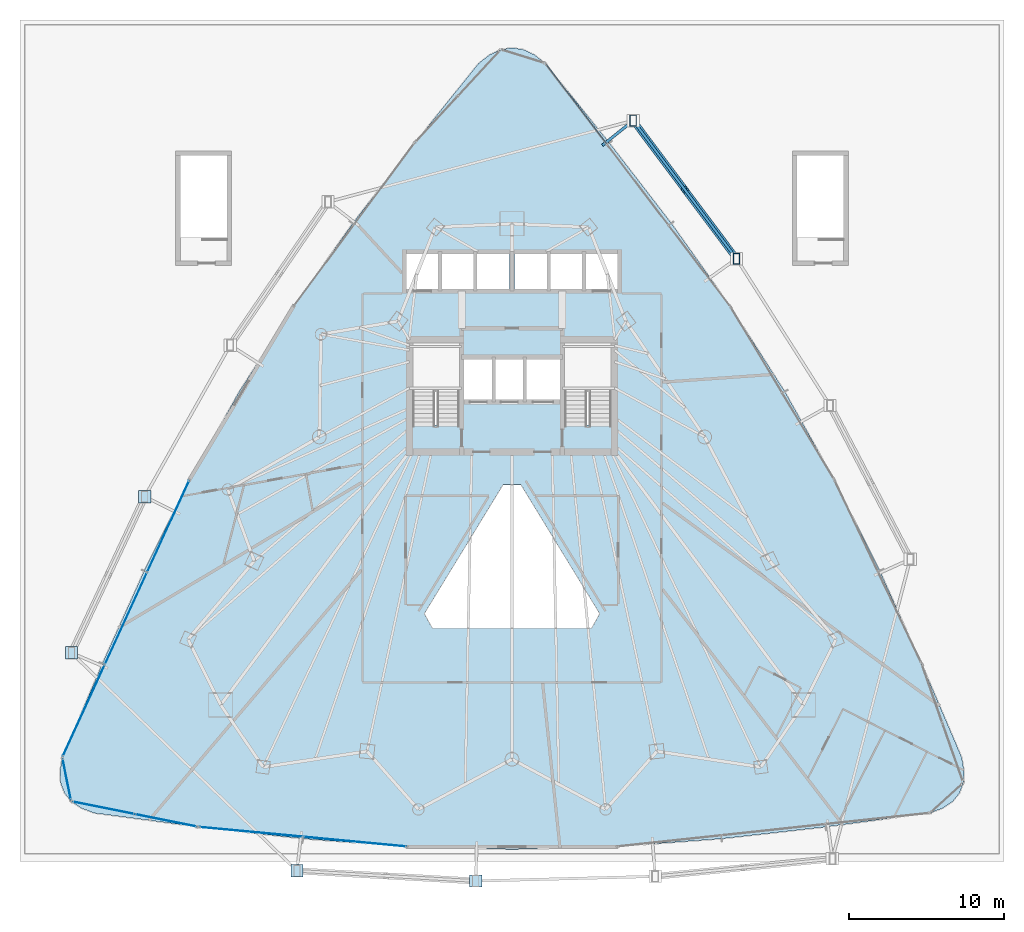
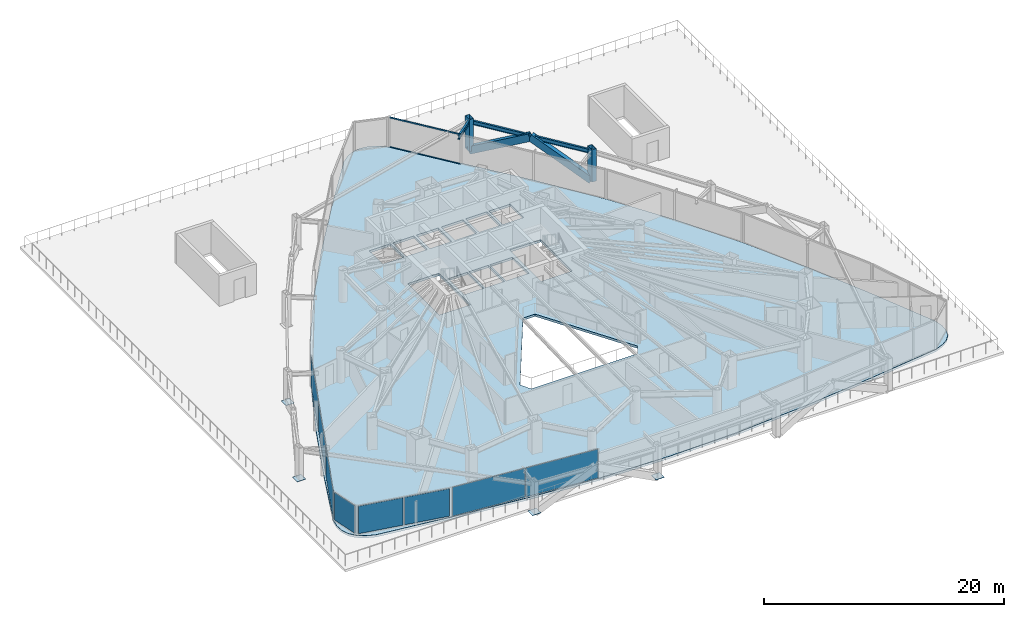
# One storey, part 27 of 36: 12 plates, 6 members, 2 beams, 1 slab, 5 elements without a shape of their own.
"""IFC4 building model written with IfcOpenShell, lengths in metres."""

import ifcopenshell
import ifcopenshell.guid

model = None  # the IFC model being written
_history = None  # IfcOwnerHistory: only IFC2X3 demands one
_inside = {}  # id of a spatial element -> (the spatial element, [elements in it])
_under = {}  # id of a project, library or spatial element -> (it, [spatial elements below it])
_declared = {}  # id of a project -> (the project, [libraries it declares])
_typed = {}  # id of a type object -> (the type object, [elements of that type])
_made_of = {}  # id of a material, layer set ... -> (it, [elements and type objects made of it])


def new_model(schema):
    """Start an empty IFC model of exactly this schema.

    Asked for "IFC4X3", IfcOpenShell would pick the latest addendum, in which some entities
    have other attributes; the version numbers below select the first issue.
    IFC2X3 requires an IfcOwnerHistory on every rooted entity: one is made here for all.
    """
    global model, _history
    if schema == "IFC4X3":
        model = ifcopenshell.file(schema_version=(4, 3, 0, 0))
    else:
        model = ifcopenshell.file(schema=schema)
    _inside.clear()
    _under.clear()
    _declared.clear()
    _typed.clear()
    _made_of.clear()
    _history = None
    if model.schema == "IFC2X3":
        org = make("IfcOrganization", Name="unknown")
        user = make(
            "IfcPersonAndOrganization",
            ThePerson=make("IfcPerson", FamilyName="unknown"),
            TheOrganization=org,
        )
        app = make(
            "IfcApplication",
            ApplicationDeveloper=org,
            Version="unknown",
            ApplicationFullName="unknown",
            ApplicationIdentifier="unknown",
        )
        _history = make(
            "IfcOwnerHistory",
            OwningUser=user,
            OwningApplication=app,
            ChangeAction="ADDED",
            CreationDate=0,
        )
    return model


def make(cls, **values):
    """One entity of the class cls with the attributes given. An attribute that is None is left unset."""
    return model.create_entity(
        cls, **{name: value for name, value in values.items() if value is not None}
    )


def rooted(cls, **values):
    """An entity with a GlobalId (a new one), such as an element, a storey or a relation."""
    return make(cls, GlobalId=ifcopenshell.guid.new(), OwnerHistory=_history, **values)


def si_unit(unit_type, name, prefix=None):
    """IfcSIUnit, for example si_unit("LENGTHUNIT", "METRE", prefix="MILLI")."""
    return make("IfcSIUnit", UnitType=unit_type, Prefix=prefix, Name=name)


def assignment(units):
    """IfcUnitAssignment: the units of a project."""
    return None if units is None else make("IfcUnitAssignment", Units=units)


def point(xyz):
    """IfcCartesianPoint."""
    return None if xyz is None else make("IfcCartesianPoint", Coordinates=xyz)


def direction(xyz):
    """IfcDirection."""
    return None if xyz is None else make("IfcDirection", DirectionRatios=xyz)


def frame(location, z_axis=None, x_axis=None):
    """IfcAxis2Placement3D, a coordinate frame: its origin and axes. An axis left out is left unset."""
    return make(
        "IfcAxis2Placement3D",
        Location=point(location),
        Axis=direction(z_axis),
        RefDirection=direction(x_axis),
    )


def frame_2d(location, x_axis=None):
    """IfcAxis2Placement2D, a coordinate frame in the plane: its origin and x axis."""
    return make(
        "IfcAxis2Placement2D", Location=point(location), RefDirection=direction(x_axis)
    )


def origin():
    """The frame at (0, 0, 0) with its axes left unset."""
    return frame((0.0, 0.0, 0.0))


def origin_2d():
    """The frame at (0, 0) in the plane with its x axis left unset."""
    return frame_2d((0.0, 0.0))


def place(relative_to, where):
    """IfcLocalPlacement: puts the frame where relative to a parent placement (None: the world)."""
    return make(
        "IfcLocalPlacement", PlacementRelTo=relative_to, RelativePlacement=where
    )


def context(
    kind, dimensions, precision=None, world=None, true_north=None, identifier=None
):
    """IfcGeometricRepresentationContext, for example the 3D "Model" context."""
    return make(
        "IfcGeometricRepresentationContext",
        ContextIdentifier=identifier,
        ContextType=kind,
        CoordinateSpaceDimension=dimensions,
        Precision=precision,
        WorldCoordinateSystem=world,
        TrueNorth=true_north,
    )


def subcontext(parent, identifier, kind, view, scale=None):
    """IfcGeometricRepresentationSubContext, for example "Body" below "Model"."""
    return make(
        "IfcGeometricRepresentationSubContext",
        ContextIdentifier=identifier,
        ContextType=kind,
        ParentContext=parent,
        TargetScale=scale,
        TargetView=view,
    )


def project(units=None, contexts=None):
    """IfcProject with its units and contexts."""
    return rooted(
        "IfcProject",
        Name="project",
        RepresentationContexts=contexts,
        UnitsInContext=assignment(units),
    )


def spatial(cls, under=None, at=None, **own):
    """A site, building, storey or space (cls), placed at a placement, below another one or the project."""
    s = rooted(cls, ObjectPlacement=at, **own)
    if under is not None:
        _under.setdefault(under.id(), (under, []))[1].append(s)
    return s


def polyline(points):
    """IfcPolyline through the points."""
    return make("IfcPolyline", Points=[point(p) for p in points])


def profile(cls, at=None, kind="AREA", **sizes):
    """A parametric profile (cls). Its sizes go by their IFC names, for example OverallWidth=200.0."""
    return make(cls, ProfileType=kind, Position=at, **sizes)


def rectangle(**sizes):
    """IfcRectangleProfileDef."""
    return profile("IfcRectangleProfileDef", **sizes)


def hollow_rectangle(**sizes):
    """IfcRectangleHollowProfileDef."""
    return profile("IfcRectangleHollowProfileDef", **sizes)


def i_section(**sizes):
    """IfcIShapeProfileDef."""
    return profile("IfcIShapeProfileDef", **sizes)


def outline(outer, holes=None, kind="AREA"):
    """IfcArbitraryClosedProfileDef: a profile drawn as a closed curve; with holes, ...WithVoids."""
    if holes is None:
        return make("IfcArbitraryClosedProfileDef", ProfileType=kind, OuterCurve=outer)
    return make(
        "IfcArbitraryProfileDefWithVoids",
        ProfileType=kind,
        OuterCurve=outer,
        InnerCurves=holes,
    )


def extrude(swept, where, along, depth):
    """IfcExtrudedAreaSolid: the profile swept, set in the frame where, extruded along a direction by depth."""
    return make(
        "IfcExtrudedAreaSolid",
        SweptArea=swept,
        Position=where,
        ExtrudedDirection=direction(along),
        Depth=depth,
    )


def shape(context_of_items, identifier, shape_type, items):
    """IfcShapeRepresentation: the items that make up one representation, for example the "Body"."""
    return make(
        "IfcShapeRepresentation",
        ContextOfItems=context_of_items,
        RepresentationIdentifier=identifier,
        RepresentationType=shape_type,
        Items=items,
    )


def material(Name=None, Category=None):
    """IfcMaterial."""
    return make("IfcMaterial", Name=Name, Category=Category)


def layer(
    of_material, thickness, ventilated=None, Name=None, Category=None, Priority=None
):
    """IfcMaterialLayer: one layer of a wall or slab, of a material (None: an air gap)."""
    return make(
        "IfcMaterialLayer",
        Material=of_material,
        LayerThickness=thickness,
        IsVentilated=ventilated,
        Name=Name,
        Category=Category,
        Priority=Priority,
    )


def layer_set(layers, Name=None):
    """IfcMaterialLayerSet."""
    return make("IfcMaterialLayerSet", MaterialLayers=layers, LayerSetName=Name)


def material_profile(
    of_material, cross_section, Name=None, Category=None, Priority=None
):
    """IfcMaterialProfile: a cross section and its material."""
    return make(
        "IfcMaterialProfile",
        Name=Name,
        Material=of_material,
        Profile=cross_section,
        Priority=Priority,
        Category=Category,
    )


def profile_set(profiles, Name=None, composite=None):
    """IfcMaterialProfileSet."""
    return make(
        "IfcMaterialProfileSet",
        Name=Name,
        MaterialProfiles=profiles,
        CompositeProfile=composite,
    )


def made_of(thing, what):
    """Note that an element or type object is made of a material, layer set ...; save() writes the relation."""
    if what is not None:
        _made_of.setdefault(what.id(), (what, []))[1].append(thing)
    return thing


def type_object(cls, material=None, **own):
    """A type object (cls), such as IfcWallType, which elements share."""
    return made_of(rooted(cls, **own), material)


def element(
    cls,
    number,
    at=None,
    inside=None,
    cuts=None,
    type_object=None,
    material=None,
    context=None,
    identifier="Body",
    shape_type=None,
    held_by="IfcProductDefinitionShape",
    body=None,
    shapes=None,
    **own,
):
    """One element of the class cls, such as IfcWall. Its Tag is "e" and its number.

    at: its placement. inside: the storey or other place that contains it. cuts: it is an
    opening in that element (IfcRelVoidsElement). A single representation is given by context,
    identifier, shape_type and body (its items); several are given by shapes. held_by: the class
    of the entity that holds the representations. save() writes the other relations.
    """
    e = rooted(cls, Tag="e%d" % number, ObjectPlacement=at, **own)
    if body is not None:
        shapes = [shape(context, identifier, shape_type, body)]
    if shapes is not None:
        e.Representation = make(held_by, Representations=shapes)
    if inside is not None:
        _inside.setdefault(inside.id(), (inside, []))[1].append(e)
    if cuts is not None:
        rooted(
            "IfcRelVoidsElement", RelatingBuildingElement=cuts, RelatedOpeningElement=e
        )
    if type_object is not None:
        _typed.setdefault(type_object.id(), (type_object, []))[1].append(e)
    return made_of(e, material)


def aggregate(whole, parts):
    """IfcRelAggregates: a whole, such as a stair, and the parts it consists of."""
    return rooted("IfcRelAggregates", RelatingObject=whole, RelatedObjects=parts)


def save(model, path):
    """Write the relations noted so far, then the file.

    IfcRelAggregates (storeys below a building ...), IfcRelContainedInSpatialStructure (elements
    in a storey), IfcRelDefinesByType, IfcRelAssociatesMaterial and IfcRelDeclares: one each for
    every whole, place, type object, material and project.
    """
    for whole, parts in _under.values():
        aggregate(whole, parts)
    for where, things in _inside.values():
        rooted(
            "IfcRelContainedInSpatialStructure",
            RelatedElements=things,
            RelatingStructure=where,
        )
    for kind, things in _typed.values():
        rooted("IfcRelDefinesByType", RelatedObjects=things, RelatingType=kind)
    for what, things in _made_of.values():
        rooted("IfcRelAssociatesMaterial", RelatedObjects=things, RelatingMaterial=what)
    for by, libraries in _declared.values():
        rooted("IfcRelDeclares", RelatingContext=by, RelatedDefinitions=libraries)
    model.write(path)


model = new_model("IFC4")

# Units and contexts
model_context = context("Model", 3, precision=1e-05, world=origin(), true_north=direction((0.0, 1.0)))
body_context = subcontext(model_context, "Body", "Model", "MODEL_VIEW")
ifc_project = project(units=[si_unit("LENGTHUNIT", "METRE"), si_unit("AREAUNIT", "SQUARE_METRE"), si_unit("VOLUMEUNIT", "CUBIC_METRE"), si_unit("PLANEANGLEUNIT", "RADIAN"), si_unit("MASSUNIT", "GRAM", prefix="KILO")], contexts=[model_context])

# Site, building, storey
site_placement = place(None, origin())
site = spatial("IfcSite", under=ifc_project, at=site_placement, CompositionType="ELEMENT")
building_placement = place(site_placement, origin())
building = spatial("IfcBuilding", under=site, at=building_placement, Name="Orvanel Arch Residences", CompositionType="ELEMENT")
storey_placement = place(building_placement, frame((0.0, 0.0, 23.60009765625)))
storey = spatial("IfcBuildingStorey", under=building, at=storey_placement, Name="L05", CompositionType="ELEMENT", Elevation=23.60009765625)

# Members
ifc_material_1 = material(Name="Structural steel AS/NZS 3678 Grade 350", Category="steel")
ifc_material_profile_1 = material_profile(ifc_material_1, hollow_rectangle(XDim=0.419921875, YDim=0.719970703125, WallThickness=0.02490234375, at=origin_2d()), Name="RHS720x420x25")
ifc_profile_set_1 = profile_set([ifc_material_profile_1], Name="Structural steel AS/NZS 3678 Grade 350")
member_type_1 = type_object("IfcMemberType", Name="BR-720RHS-EXT", PredefinedType="BRACE", material=ifc_profile_set_1)
member_1_placement = place(storey_placement, frame((47.489013671875, 39.14306640625, 0.0), z_axis=(-0.532720054951, 0.712530633124, 0.456628338928), x_axis=(-0.800904383273, -0.598792258513, 0.0)))
element("IfcMember", 1, at=member_1_placement, inside=storey, type_object=member_type_1, Name="L05 Exterior Sky-Garden V-Frame Chevron F3B3.1", PredefinedType="BRACE", context=body_context, shape_type="SweptSolid", body=[
    extrude(hollow_rectangle(XDim=0.419921875, YDim=0.719970703125, WallThickness=0.02490234375, at=origin_2d()), origin(), (0.0, 0.0, 1.0), 6.256591796875),
])
member_2_placement = place(storey_placement, frame((40.822021484375, 48.05908203125, 0.0), z_axis=(0.532831830954, -0.712471384974, 0.456590369495), x_axis=(0.800820245325, 0.598904779308, 0.0)))
element("IfcMember", 2, at=member_2_placement, inside=storey, type_object=member_type_1, Name="L05 Exterior Sky-Garden V-Frame Chevron F3B3.2", PredefinedType="BRACE", context=body_context, shape_type="SweptSolid", body=[
    extrude(hollow_rectangle(XDim=0.419921875, YDim=0.719970703125, WallThickness=0.02490234375, at=origin_2d()), origin(), (0.0, 0.0, 1.0), 6.257080078125),
])
ifc_material_profile_2 = material_profile(ifc_material_1, hollow_rectangle(XDim=0.419921875, YDim=0.719970703125, WallThickness=0.02490234375, at=origin_2d()), Name="RHS720x420x25")
ifc_profile_set_2 = profile_set([ifc_material_profile_2], Name="Structural steel AS/NZS 3678 Grade 350")
member_type_2 = type_object("IfcMemberType", Name="CH-720RHS-EXT", PredefinedType="CHORD", material=ifc_profile_set_2)
for number, where, z_axis, x_axis, name in (
    (3, (47.489013671875, 39.14306640625, 0.0), (0.0, 0.0, 1.0), (1.0, 0.0, 0.0), "L05 Outer Perimeter Frame Post 11"),
    (4, (40.822021484375, 48.05908203125, 0.0), (0.0, 0.0, 1.0), (1.0, 0.0, 0.0), "L05 Outer Perimeter Frame Post 12"),
):
    element("IfcMember", number, at=place(storey_placement, frame(where, z_axis=z_axis, x_axis=x_axis)), inside=storey, type_object=member_type_2, Name=name, PredefinedType="CHORD", context=body_context, shape_type="SweptSolid", body=[
        extrude(hollow_rectangle(XDim=0.419921875, YDim=0.719970703125, WallThickness=0.02490234375, at=origin_2d()), origin(), (0.0, 0.0, 1.0), 3.2998046875),
    ])

# Beams
ifc_material_2 = material(Name="Structural steel AS/NZS 3679.1 Grade 300 (300 MPa)", Category="steel")
ifc_material_profile_3 = material_profile(ifc_material_2, i_section(OverallWidth=0.177978515625, OverallDepth=0.406005859375, WebThickness=0.0078125, FlangeThickness=0.0126953125, at=origin_2d()), Name="410UB59.7")
ifc_profile_set_3 = profile_set([ifc_material_profile_3], Name="Structural steel AS/NZS 3679.1 Grade 300 (300 MPa)")
beam_type = type_object("IfcBeamType", Name="OB-410UB-EXT", PredefinedType="SPANDREL", material=ifc_profile_set_3)
beam_1_placement = place(storey_placement, frame((47.489013671875, 39.14306640625, 2.85693359375), z_axis=(-0.598848523343, 0.800862314065, 0.0), x_axis=(-0.800862314065, -0.598848523343, 0.0)))
element("IfcBeam", 5, at=beam_1_placement, inside=storey, type_object=beam_type, Name="L05 Outer Perimeter Floor Ring Beam 11", PredefinedType="SPANDREL", context=body_context, shape_type="SweptSolid", body=[
    extrude(i_section(OverallWidth=0.177978515625, OverallDepth=0.406005859375, WebThickness=0.0078125, FlangeThickness=0.0126953125, at=origin_2d()), origin(), (0.0, 0.0, 1.0), 11.133056640625),
])
beam_2_placement = place(storey_placement, frame((38.8349609375, 46.4609375, 2.85693359375), z_axis=(0.779240894575, 0.626724523392, 0.0), x_axis=(-0.626724523392, 0.779240894575, 0.0)))
element("IfcBeam", 6, at=beam_2_placement, inside=storey, type_object=beam_type, Name="L05 Outer Frame Radial Tie Beam 12", PredefinedType="SPANDREL", context=body_context, shape_type="SweptSolid", body=[
    extrude(i_section(OverallWidth=0.177978515625, OverallDepth=0.406005859375, WebThickness=0.0078125, FlangeThickness=0.0126953125, at=origin_2d()), origin(), (0.0, 0.0, 1.0), 2.550048828125),
])

# Curtain wall, members
ifc_material_3 = material(Name="Bronze-anodised aluminium AA6063-T6", Category="aluminium")
ifc_layer_1 = layer(ifc_material_3, 0.179931640625)
ifc_layer_set_1 = layer_set([ifc_layer_1], Name="Bronze-anodised aluminium AA6063-T6")
curtain_wall_type_1 = type_object("IfcCurtainWallType", Name="CW2-LOW-SYS", PredefinedType="NOTDEFINED", material=ifc_layer_set_1)
curtain_wall_1_placement = place(storey_placement, origin())
curtain_wall_1 = element("IfcCurtainWall", 7, at=curtain_wall_1_placement, inside=storey, type_object=curtain_wall_type_1, Name="L05 CW2-LOW-SYS Unitised Curtain Wall", PredefinedType="NOTDEFINED")
ifc_material_profile_4 = material_profile(ifc_material_3, hollow_rectangle(XDim=0.06005859375, YDim=0.135009765625, WallThickness=0.00390625, at=origin_2d()), Name="ALU135x60x4")
ifc_profile_set_4 = profile_set([ifc_material_profile_4], Name="Bronze-anodised aluminium AA6063-T6")
member_type_3 = type_object("IfcMemberType", Name="TRN-135x60", PredefinedType="USERDEFINED", material=ifc_profile_set_4)
member_3_placement = place(storey_placement, frame((39.120361328125, 46.546630859375, 0.02978515625), z_axis=(-0.605818439678, 0.795602927437, 0.0), x_axis=(-0.795602927437, -0.605818439678, 0.0)))
member_3 = element("IfcMember", 8, at=member_3_placement, type_object=member_type_3, Name="CW-S2 transom 3.1", ObjectType="TRANSOM", PredefinedType="USERDEFINED", context=body_context, shape_type="SweptSolid", body=[
    extrude(hollow_rectangle(XDim=0.06005859375, YDim=0.135009765625, WallThickness=0.00390625, at=origin_2d()), origin(), (0.0, 0.0, 1.0), 6.447509765625),
])
member_4_placement = place(storey_placement, frame((39.120361328125, 46.546630859375, 3.02978515625), z_axis=(-0.605818439678, 0.795602927437, 0.0), x_axis=(-0.795602927437, -0.605818439678, 0.0)))
member_4 = element("IfcMember", 9, at=member_4_placement, type_object=member_type_3, Name="CW-S2 transom 3.2", ObjectType="TRANSOM", PredefinedType="USERDEFINED", context=body_context, shape_type="SweptSolid", body=[
    extrude(hollow_rectangle(XDim=0.06005859375, YDim=0.135009765625, WallThickness=0.00390625, at=origin_2d()), origin(), (0.0, 0.0, 1.0), 6.447509765625),
])
aggregate(curtain_wall_1, [member_3, member_4])

# Plates
ifc_layer_2 = layer(ifc_material_1, 0.031982421875)
ifc_layer_set_2 = layer_set([ifc_layer_2], Name="Structural steel AS/NZS 3678 Grade 350")
plate_type_1 = type_object("IfcPlateType", Name="PL-CAP-32", PredefinedType="SHEET", material=ifc_layer_set_2)
for number, where, z_axis, x_axis, name in (
    (10, (9.300048828125, 23.787109375, -0.01611328125), (0.0, 0.0, 1.0), (1.0, 0.0, 0.0), "L05 hollow member end cap plate"),
    (11, (4.572998046875, 13.7080078125, -0.01611328125), (0.0, 0.0, 1.0), (1.0, 0.0, 0.0), "L05 hollow member end cap plate"),
    (12, (19.125, -0.35595703125, -0.01611328125), (0.0, 0.0, 1.0), (1.0, 0.0, 0.0), "L05 hollow member end cap plate"),
    (13, (30.658935546875, -1.013916015625, -0.01611328125), (0.0, 0.0, 1.0), (1.0, 0.0, 0.0), "L05 hollow member end cap plate"),
):
    element("IfcPlate", number, at=place(storey_placement, frame(where, z_axis=z_axis, x_axis=x_axis)), inside=storey, type_object=plate_type_1, Name=name, PredefinedType="SHEET", context=body_context, shape_type="SweptSolid", body=[
        extrude(rectangle(XDim=0.800048828125, YDim=0.800048828125, at=origin_2d()), origin(), (0.0, 0.0, 1.0), 0.031982421875),
    ])

# Curtain wall, plates
curtain_wall_2_placement = place(storey_placement, origin())
curtain_wall_2 = element("IfcCurtainWall", 14, at=curtain_wall_2_placement, inside=storey, type_object=curtain_wall_type_1, Name="L05 CW2-LOW-SYS Unitised Curtain Wall", PredefinedType="NOTDEFINED")
ifc_material_4 = material(Name="Double-glazed solar-control low-E safety glass", Category="glass")
ifc_layer_3 = layer(ifc_material_4, 0.028076171875)
ifc_layer_set_3 = layer_set([ifc_layer_3], Name="Double-glazed solar-control low-E safety glass")
plate_type_2 = type_object("IfcPlateType", Name="PNL-GLZ-28", PredefinedType="CURTAIN_PANEL", material=ifc_layer_set_3)
plate_1_placement = place(storey_placement, frame((10.812255859375, 21.870849609375, 0.059814453125), z_axis=(0.0, 0.0, 1.0), x_axis=(-0.416763304229, -0.909015042916, 0.0)))
plate_1 = element("IfcPlate", 15, at=plate_1_placement, type_object=plate_type_2, Name="CW-S2 panel 1.1", PredefinedType="CURTAIN_PANEL", context=body_context, shape_type="SweptSolid", body=[
    extrude(rectangle(XDim=6.447998046875, YDim=0.028076171875, at=origin_2d()), origin(), (0.0, 0.0, 1.0), 2.93994140625),
])
plate_2_placement = place(storey_placement, frame((8.08837890625, 15.929931640625, 0.059814453125), z_axis=(0.0, 0.0, 1.0), x_axis=(-0.416763304229, -0.909015042916, 0.0)))
plate_2 = element("IfcPlate", 16, at=plate_2_placement, type_object=plate_type_2, Name="CW-S2 panel 2.1", PredefinedType="CURTAIN_PANEL", context=body_context, shape_type="SweptSolid", body=[
    extrude(rectangle(XDim=6.48291015625, YDim=0.028076171875, at=origin_2d()), origin(), (0.0, 0.0, 1.0), 2.93994140625),
])
plate_3_placement = place(storey_placement, frame((5.36474609375, 9.9892578125, 0.059814453125), z_axis=(0.0, 0.0, 1.0), x_axis=(-0.416763304229, -0.909015042916, 0.0)))
plate_3 = element("IfcPlate", 17, at=plate_3_placement, type_object=plate_type_2, Name="CW-S2 panel 3.1", PredefinedType="CURTAIN_PANEL", context=body_context, shape_type="SweptSolid", body=[
    extrude(rectangle(XDim=6.447998046875, YDim=0.028076171875, at=origin_2d()), origin(), (0.0, 0.0, 1.0), 2.93994140625),
])
aggregate(curtain_wall_2, [plate_1, plate_2, plate_3])

curtain_wall_3_placement = place(storey_placement, origin())
curtain_wall_3 = element("IfcCurtainWall", 18, at=curtain_wall_3_placement, inside=storey, type_object=curtain_wall_type_1, Name="L05 CW2-LOW-SYS Unitised Curtain Wall", PredefinedType="NOTDEFINED")
plate_4_placement = place(storey_placement, frame((16.166748046875, 2.1552734375, 0.059814453125), z_axis=(0.0, 0.0, 1.0), x_axis=(0.995584855885, -0.093865833683, 0.0)))
plate_4 = element("IfcPlate", 19, at=plate_4_placement, type_object=plate_type_2, Name="CW-S2 panel 1.1", PredefinedType="CURTAIN_PANEL", context=body_context, shape_type="SweptSolid", body=[
    extrude(rectangle(XDim=6.6494140625, YDim=0.028076171875, at=origin_2d()), origin(), (0.0, 0.0, 1.0), 2.93994140625),
])
plate_5_placement = place(storey_placement, frame((22.8564453125, 1.524658203125, 0.059814453125), z_axis=(0.0, 0.0, 1.0), x_axis=(0.995584855885, -0.093865833683, 0.0)))
plate_5 = element("IfcPlate", 20, at=plate_5_placement, type_object=plate_type_2, Name="CW-S2 panel 2.1", PredefinedType="CURTAIN_PANEL", context=body_context, shape_type="SweptSolid", body=[
    extrude(rectangle(XDim=6.6494140625, YDim=0.028076171875, at=origin_2d()), origin(), (0.0, 0.0, 1.0), 2.93994140625),
])
aggregate(curtain_wall_3, [plate_4, plate_5])

# Curtain wall, plate
ifc_layer_4 = layer(ifc_material_3, 0.18994140625)
ifc_layer_set_4 = layer_set([ifc_layer_4], Name="Bronze-anodised aluminium AA6063-T6")
curtain_wall_type_2 = type_object("IfcCurtainWallType", Name="CW5-CRN-SYS", PredefinedType="NOTDEFINED", material=ifc_layer_set_4)
curtain_wall_4_placement = place(storey_placement, origin())
curtain_wall_4 = element("IfcCurtainWall", 21, at=curtain_wall_4_placement, inside=storey, type_object=curtain_wall_type_2, Name="L05 CW5-CRN-SYS Unitised Curtain Wall", PredefinedType="NOTDEFINED")
ifc_layer_5 = layer(ifc_material_4, 0.031982421875)
ifc_layer_set_5 = layer_set([ifc_layer_5], Name="Double-glazed solar-control low-E safety glass")
plate_type_3 = type_object("IfcPlateType", Name="PNL-GLZ-32", PredefinedType="CURTAIN_PANEL", material=ifc_layer_set_5)
plate_6_placement = place(storey_placement, frame((4.26806640625, 5.552001953125, 0.1298828125), z_axis=(0.0, 0.0, 1.0), x_axis=(0.195444918456, -0.980714680144, 0.0)))
plate_6 = element("IfcPlate", 22, at=plate_6_placement, type_object=plate_type_3, Name="CW-S5 panel 1.1", PredefinedType="CURTAIN_PANEL", context=body_context, shape_type="SweptSolid", body=[
    extrude(rectangle(XDim=2.565185546875, YDim=0.031982421875, at=origin_2d()), origin(), (0.0, 0.0, 1.0), 2.800048828125),
])
aggregate(curtain_wall_4, [plate_6])

# Curtain wall, plates
curtain_wall_5_placement = place(storey_placement, origin())
curtain_wall_5 = element("IfcCurtainWall", 23, at=curtain_wall_5_placement, inside=storey, type_object=curtain_wall_type_2, Name="L05 CW5-CRN-SYS Unitised Curtain Wall", PredefinedType="NOTDEFINED")
plate_7_placement = place(storey_placement, frame((6.652587890625, 3.704833984375, 0.1298828125), z_axis=(0.0, 0.0, 1.0), x_axis=(0.980395740086, -0.197038556687, 0.0)))
plate_7 = element("IfcPlate", 24, at=plate_7_placement, type_object=plate_type_3, Name="CW-S5 panel 1.1", PredefinedType="CURTAIN_PANEL", context=body_context, shape_type="SweptSolid", body=[
    extrude(rectangle(XDim=3.9443359375, YDim=0.031982421875, at=origin_2d()), origin(), (0.0, 0.0, 1.0), 2.800048828125),
])
plate_8_placement = place(storey_placement, frame((10.66650390625, 2.898193359375, 0.1298828125), z_axis=(0.0, 0.0, 1.0), x_axis=(0.980395740086, -0.197038556687, 0.0)))
plate_8 = element("IfcPlate", 25, at=plate_8_placement, type_object=plate_type_3, Name="CW-S5 panel 2.1", PredefinedType="CURTAIN_PANEL", context=body_context, shape_type="SweptSolid", body=[
    extrude(rectangle(XDim=3.9443359375, YDim=0.031982421875, at=origin_2d()), origin(), (0.0, 0.0, 1.0), 2.800048828125),
])
aggregate(curtain_wall_5, [plate_7, plate_8])

# Slab
ifc_material_5 = material(Name="Concrete N40 (40 MPa)", Category="concrete")
ifc_layer_6 = layer(ifc_material_5, 0.239990234375)
ifc_layer_set_6 = layer_set([ifc_layer_6], Name="Concrete N40 (40 MPa)")
slab_type = type_object("IfcSlabType", Name="SLB-TYP-240", PredefinedType="FLOOR", material=ifc_layer_set_6)
slab_placement = place(storey_placement, frame((0.0, 0.0, -0.239990234375)))
element("IfcSlab", 26, at=slab_placement, inside=storey, type_object=slab_type, Name="L05 Tower Floor Slab", PredefinedType="FLOOR", context=body_context, shape_type="SweptSolid", body=[
    extrude(outline(polyline([(39.2890625, 46.614013671875), (35.159912109375, 51.748046875), (34.43994140625, 52.30908203125), (33.719970703125, 52.64501953125), (33.0, 52.757080078125), (32.280029296875, 52.64501953125), (31.56005859375, 52.30908203125), (30.840087890625, 51.748046875), (26.7109375, 46.614013671875), (22.700927734375, 41.409912109375), (18.906982421875, 36.075927734375), (15.39599609375, 30.571044921875), (12.193115234375, 24.883056640625), (9.27294921875, 19.02392578125), (6.569091796875, 13.035888671875), (3.98388671875, 6.97705078125), (3.8291015625, 6.095947265625), (3.8720703125, 5.327880859375), (4.113037109375, 4.672119140625), (4.552001953125, 4.126953125), (5.18896484375, 3.695068359375), (6.02294921875, 3.375), (12.76708984375, 2.47607421875), (19.511962890625, 1.712890625), (26.256103515625, 1.2041015625), (33.0, 1.02490234375), (39.743896484375, 1.2041015625), (46.489013671875, 1.712890625), (53.23291015625, 2.47607421875), (59.97705078125, 3.375), (60.81201171875, 3.695068359375), (61.447998046875, 4.126953125), (61.886962890625, 4.672119140625), (62.1279296875, 5.327880859375), (62.1708984375, 6.095947265625), (62.01611328125, 6.97705078125), (59.430908203125, 13.035888671875), (56.72705078125, 19.02392578125), (53.806884765625, 24.883056640625), (50.60400390625, 30.571044921875), (47.093017578125, 36.075927734375), (43.300048828125, 41.409912109375), (39.2890625, 46.614013671875)]), holes=[polyline([(26.60009765625, 28.429931640625), (26.60009765625, 33.699951171875), (29.60009765625, 33.699951171875), (29.60009765625, 28.429931640625), (26.60009765625, 28.429931640625)]), polyline([(36.39990234375, 28.429931640625), (36.39990234375, 33.699951171875), (39.39990234375, 33.699951171875), (39.39990234375, 28.429931640625), (36.39990234375, 28.429931640625)]), polyline([(29.89990234375, 32.64990234375), (31.75, 32.64990234375), (31.75, 29.949951171875), (29.89990234375, 29.949951171875), (29.89990234375, 32.64990234375)]), polyline([(31.89990234375, 32.64990234375), (33.75, 32.64990234375), (33.75, 29.949951171875), (31.89990234375, 29.949951171875), (31.89990234375, 32.64990234375)]), polyline([(33.89990234375, 32.64990234375), (36.10009765625, 32.64990234375), (36.10009765625, 29.949951171875), (33.89990234375, 29.949951171875), (33.89990234375, 32.64990234375)]), polyline([(26.199951171875, 39.449951171875), (28.25, 39.449951171875), (28.25, 37.199951171875), (26.199951171875, 37.199951171875), (26.199951171875, 39.449951171875)]), polyline([(37.75, 39.449951171875), (39.800048828125, 39.449951171875), (39.800048828125, 37.199951171875), (37.75, 37.199951171875), (37.75, 39.449951171875)]), polyline([(28.449951171875, 39.449951171875), (30.5, 39.449951171875), (30.5, 37.199951171875), (28.449951171875, 37.199951171875), (28.449951171875, 39.449951171875)]), polyline([(35.5, 39.449951171875), (37.550048828125, 39.449951171875), (37.550048828125, 37.199951171875), (35.5, 37.199951171875), (35.5, 39.449951171875)]), polyline([(30.75, 39.449951171875), (32.85009765625, 39.449951171875), (32.85009765625, 37.199951171875), (30.75, 37.199951171875), (30.75, 39.449951171875)]), polyline([(33.14990234375, 39.449951171875), (35.25, 39.449951171875), (35.25, 37.199951171875), (33.14990234375, 37.199951171875), (33.14990234375, 39.449951171875)]), polyline([(38.662109375, 16.238037109375), (38.135009765625, 15.300048828125), (27.864990234375, 15.300048828125), (27.337890625, 16.238037109375), (32.426025390625, 24.56103515625), (33.573974609375, 24.56103515625), (38.662109375, 16.238037109375)])]), origin(), (0.0, 0.0, 1.0), 0.239990234375),
])

save(model, "model.ifc")
